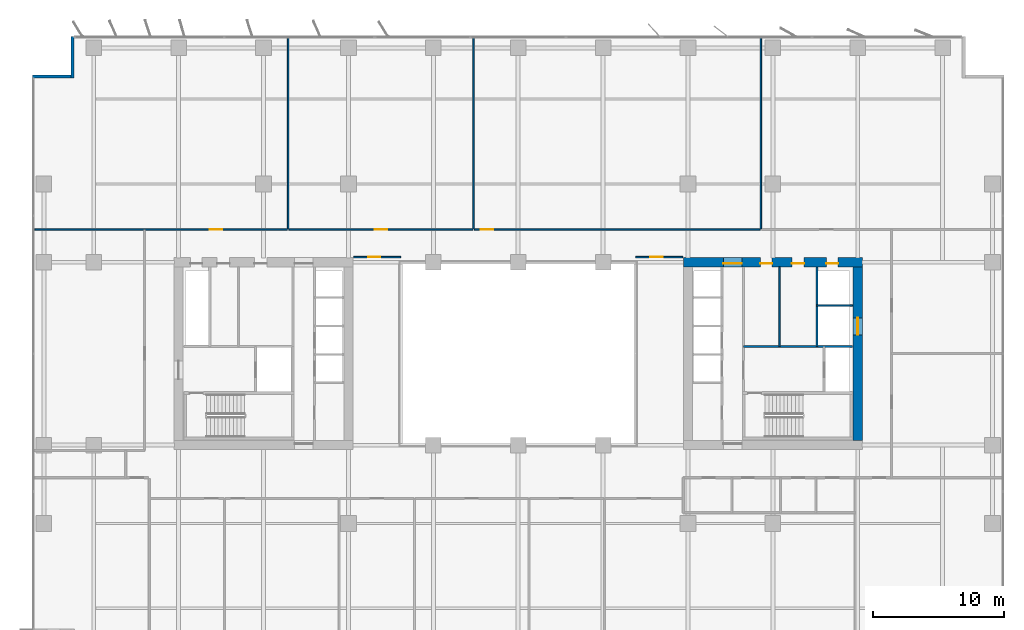
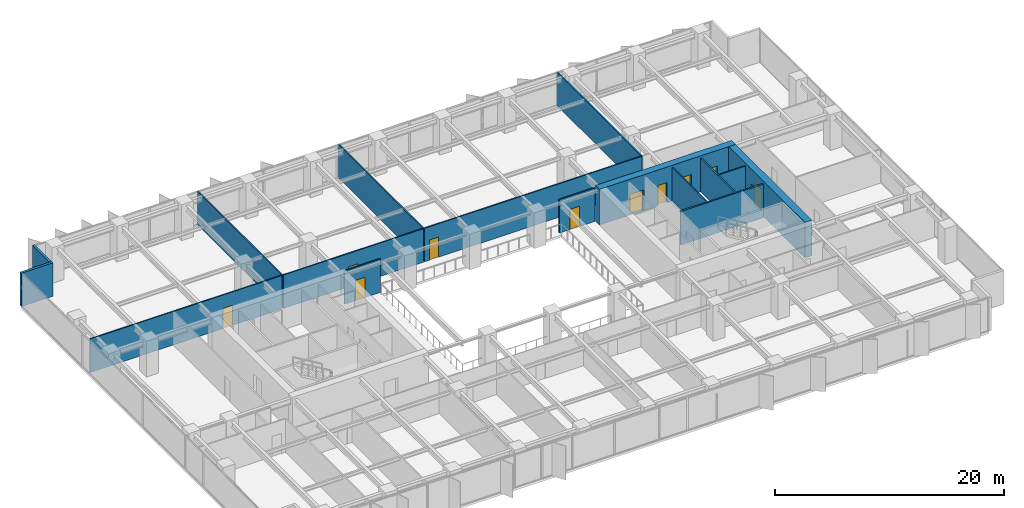
# One storey, part 15 of 20: 16 walls, 10 doors, 10 openings.
"""IFC4 building model written with IfcOpenShell, lengths in metres."""

from ifc_helpers import new_model, si_unit, direction, frame, frame_2d, origin, place, context, subcontext, project, spatial, rectangle, extrude, material, layer, layer_set, type_object, element, fill, save


model = new_model("IFC4")

# Units and contexts
model_context = context("Model", 3, precision=1e-05, world=origin(), true_north=direction((0.0, 1.0)))
body_context = subcontext(model_context, "Body", "Model", "MODEL_VIEW")
ifc_project = project(units=[si_unit("LENGTHUNIT", "METRE"), si_unit("AREAUNIT", "SQUARE_METRE"), si_unit("VOLUMEUNIT", "CUBIC_METRE"), si_unit("PLANEANGLEUNIT", "RADIAN"), si_unit("MASSUNIT", "GRAM", prefix="KILO")], contexts=[model_context])

# Site, building, storey
site_placement = place(None, origin())
site = spatial("IfcSite", under=ifc_project, at=site_placement, CompositionType="ELEMENT")
building_placement = place(site_placement, origin())
building = spatial("IfcBuilding", under=site, at=building_placement, Name="Putna Gate Headquarters", CompositionType="ELEMENT")
storey_placement = place(building_placement, frame((0.0, 0.0, 101.199951171875)))
storey = spatial("IfcBuildingStorey", under=building, at=storey_placement, Name="L24", CompositionType="ELEMENT", Elevation=101.199951171875)

# Wall, openings, doors
ifc_material_1 = material(Name="Concrete C60/75", Category="concrete")
ifc_layer_1 = layer(ifc_material_1, 0.699951171875)
ifc_layer_set_1 = layer_set([ifc_layer_1], Name="Concrete C60/75")
wall_type_1 = type_object("IfcWallType", Name="WALL-CORE-700", PredefinedType="SHEAR", material=ifc_layer_set_1)
wall_1_placement = place(storey_placement, frame((51.64990234375, 33.0, 0.0), z_axis=(0.0, 0.0, 1.0), x_axis=(1.0, 0.0, 0.0)))
wall_1 = element("IfcWall", 1, at=wall_1_placement, inside=storey, type_object=wall_type_1, Name="L24 EC Split Core Shear Wall N", PredefinedType="SHEAR", context=body_context, shape_type="SweptSolid", body=[
    extrude(rectangle(XDim=13.7001953125, YDim=0.699951171875, at=frame_2d((6.85009765625, 0.0))), origin(), (0.0, 0.0, 1.0), 3.800048828125),
])
opening_1_placement = place(wall_1_placement, frame((3.070068359375, 0.0, 0.0)))
opening_1 = element("IfcOpeningElement", 2, at=opening_1_placement, cuts=wall_1, Name="Opening FDD-140", PredefinedType="OPENING", context=body_context, shape_type="SweptSolid", body=[
    extrude(rectangle(XDim=1.39990234375, YDim=2.199951171875, at=frame_2d((0.699951171875, 1.10009765625))), frame((0.0, 0.35986328125, 0.0), z_axis=(0.0, -1.0, 0.0), x_axis=(1.0, 0.0, 0.0)), (0.0, 0.0, 1.0), 0.719970703125),
])
opening_2_placement = place(wall_1_placement, frame((10.949951171875, 0.0, 0.0)))
opening_2 = element("IfcOpeningElement", 3, at=opening_2_placement, cuts=wall_1, Name="Opening RD-90", PredefinedType="OPENING", context=body_context, shape_type="SweptSolid", body=[
    extrude(rectangle(XDim=0.89990234375, YDim=2.14990234375, at=frame_2d((0.449951171875, 1.074951171875))), frame((0.0, 0.35986328125, 0.0), z_axis=(0.0, -1.0, 0.0), x_axis=(1.0, 0.0, 0.0)), (0.0, 0.0, 1.0), 0.719970703125),
])
opening_3_placement = place(wall_1_placement, frame((5.89990234375, 0.0, 0.0)))
opening_3 = element("IfcOpeningElement", 4, at=opening_3_placement, cuts=wall_1, Name="Opening IDS-90", PredefinedType="OPENING", context=body_context, shape_type="SweptSolid", body=[
    extrude(rectangle(XDim=0.89990234375, YDim=2.14990234375, at=frame_2d((0.449951171875, 1.074951171875))), frame((0.0, 0.35986328125, 0.0), z_axis=(0.0, -1.0, 0.0), x_axis=(1.0, 0.0, 0.0)), (0.0, 0.0, 1.0), 0.719970703125),
])
opening_4_placement = place(wall_1_placement, frame((8.300048828125, 0.0, 0.0)))
opening_4 = element("IfcOpeningElement", 5, at=opening_4_placement, cuts=wall_1, Name="Opening IDS-95", PredefinedType="OPENING", context=body_context, shape_type="SweptSolid", body=[
    extrude(rectangle(XDim=0.949951171875, YDim=2.14990234375, at=frame_2d((0.47509765625, 1.074951171875))), frame((0.0, 0.35986328125, 0.0), z_axis=(0.0, -1.0, 0.0), x_axis=(1.0, 0.0, 0.0)), (0.0, 0.0, 1.0), 0.719970703125),
])
ifc_material_2 = material(Name="Double steel fire door", Category="steel")
door_type_1 = type_object("IfcDoorType", Name="DOOR-FIRE-DBL-1400", OperationType="DOUBLE_DOOR_SINGLE_SWING", PredefinedType="DOOR", material=ifc_material_2)
door_1_placement = place(opening_1_placement, origin())
door_1 = element("IfcDoor", 6, at=door_1_placement, inside=storey, type_object=door_type_1, Name="L24 East Lift Lobby North Door", OperationType="DOUBLE_DOOR_SINGLE_SWING", OverallHeight=2.199951171875, OverallWidth=1.39990234375, PredefinedType="DOOR", context=body_context, shape_type="SweptSolid", body=[
    extrude(rectangle(XDim=1.39990234375, YDim=2.199951171875, at=frame_2d((0.699951171875, 1.10009765625))), frame((0.0, -0.0751953125, 0.0), z_axis=(0.0, -1.0, 0.0), x_axis=(1.0, 0.0, 0.0)), (0.0, 0.0, 1.0), 0.050048828125),
])
fill(opening_1, door_1)
ifc_material_3 = material(Name="Fire-rated utility door")
door_type_2 = type_object("IfcDoorType", Name="DOOR-INT-900", OperationType="NOTDEFINED", PredefinedType="DOOR", material=ifc_material_3)
door_2_placement = place(opening_3_placement, origin())
door_2 = element("IfcDoor", 7, at=door_2_placement, inside=storey, type_object=door_type_2, Name="L24 Telecoms Plant Door", OperationType="SINGLE_SWING_LEFT", OverallHeight=2.14990234375, OverallWidth=0.89990234375, PredefinedType="DOOR", context=body_context, shape_type="SweptSolid", body=[
    extrude(rectangle(XDim=0.89990234375, YDim=2.14990234375, at=frame_2d((0.449951171875, 1.074951171875))), frame((0.0, -0.0751953125, 0.0), z_axis=(0.0, -1.0, 0.0), x_axis=(1.0, 0.0, 0.0)), (0.0, 0.0, 1.0), 0.050048828125),
])
fill(opening_3, door_2)
ifc_material_4 = material(Name="Fire-rated service timber door", Category="wood")
door_type_3 = type_object("IfcDoorType", Name="DOOR-INT-950", OperationType="NOTDEFINED", PredefinedType="DOOR", material=ifc_material_4)
door_3_placement = place(opening_4_placement, origin())
door_3 = element("IfcDoor", 8, at=door_3_placement, inside=storey, type_object=door_type_3, Name="L24 Supplies Store Door", OperationType="SINGLE_SWING_RIGHT", OverallHeight=2.14990234375, OverallWidth=0.949951171875, PredefinedType="DOOR", context=body_context, shape_type="SweptSolid", body=[
    extrude(rectangle(XDim=0.949951171875, YDim=2.14990234375, at=frame_2d((0.47509765625, 1.074951171875))), frame((0.0, -0.0751953125, 0.0), z_axis=(0.0, -1.0, 0.0), x_axis=(1.0, 0.0, 0.0)), (0.0, 0.0, 1.0), 0.050048828125),
])
fill(opening_4, door_3)
ifc_material_5 = material(Name="Steel riser access fire door", Category="steel")
door_type_4 = type_object("IfcDoorType", Name="DOOR-RISER-900", OperationType="NOTDEFINED", PredefinedType="DOOR", material=ifc_material_5)
door_4_placement = place(opening_2_placement, origin())
door_4 = element("IfcDoor", 9, at=door_4_placement, inside=storey, type_object=door_type_4, Name="L24 East Riser Access Door", OperationType="SINGLE_SWING_LEFT", OverallHeight=2.14990234375, OverallWidth=0.89990234375, PredefinedType="DOOR", context=body_context, shape_type="SweptSolid", body=[
    extrude(rectangle(XDim=0.89990234375, YDim=2.14990234375, at=frame_2d((0.449951171875, 1.074951171875))), frame((0.0, -0.0751953125, 0.0), z_axis=(0.0, -1.0, 0.0), x_axis=(1.0, 0.0, 0.0)), (0.0, 0.0, 1.0), 0.050048828125),
])
fill(opening_2, door_4)

# Wall, opening, door
wall_2_placement = place(storey_placement, frame((65.0, 19.35009765625, 0.0), z_axis=(0.0, 0.0, 1.0), x_axis=(0.0, 1.0, 0.0)))
wall_2 = element("IfcWall", 10, at=wall_2_placement, inside=storey, type_object=wall_type_1, Name="L24 EC Split Core Shear Wall E", PredefinedType="SHEAR", context=body_context, shape_type="SweptSolid", body=[
    extrude(rectangle(XDim=13.2998046875, YDim=0.699951171875, at=frame_2d((6.64990234375, 0.0))), origin(), (0.0, 0.0, 1.0), 3.800048828125),
])
opening_5_placement = place(wall_2_placement, frame((8.10009765625, 0.0, 0.0)))
opening_5 = element("IfcOpeningElement", 11, at=opening_5_placement, cuts=wall_2, Name="Opening LD-2", PredefinedType="OPENING", context=body_context, shape_type="SweptSolid", body=[
    extrude(rectangle(XDim=1.300048828125, YDim=2.199951171875, at=frame_2d((0.64990234375, 1.10009765625))), frame((0.0, 0.35986328125, 0.0), z_axis=(0.0, -1.0, 0.0), x_axis=(1.0, 0.0, 0.0)), (0.0, 0.0, 1.0), 0.719970703125),
])
ifc_material_6 = material(Name="Heavy-duty goods lift sliding landing door")
door_type_5 = type_object("IfcDoorType", Name="DOOR-LIFT-1300", OperationType="DOUBLE_DOOR_SLIDING", PredefinedType="DOOR", material=ifc_material_6)
door_5_placement = place(opening_5_placement, origin())
door_5 = element("IfcDoor", 12, at=door_5_placement, inside=storey, type_object=door_type_5, Name="L24 Goods Lift Landing Door LD-15", OperationType="DOUBLE_DOOR_SLIDING", OverallHeight=2.199951171875, OverallWidth=1.300048828125, PredefinedType="DOOR", context=body_context, shape_type="SweptSolid", body=[
    extrude(rectangle(XDim=1.300048828125, YDim=2.199951171875, at=frame_2d((0.64990234375, 1.10009765625))), frame((0.0, 0.02490234375, 0.0), z_axis=(0.0, -1.0, 0.0), x_axis=(1.0, 0.0, 0.0)), (0.0, 0.0, 1.0), 0.050048828125),
])
fill(opening_5, door_5)

# Walls
ifc_material_7 = material(Name="Precast concrete C40/50", Category="concrete")
ifc_layer_2 = layer(ifc_material_7, 0.239990234375)
ifc_layer_set_2 = layer_set([ifc_layer_2], Name="Precast concrete C40/50")
wall_type_2 = type_object("IfcWallType", Name="WALL-EXT-TERR-240", PredefinedType="STANDARD", material=ifc_layer_set_2)
for number, where, z_axis, x_axis, name in (
    (13, (4.8798828125, 47.10009765625, 0.0), (0.0, 0.0, 1.0), (0.0, 1.0, 0.0), "L24 Corner Notch Return Wall NW-V"),
    (14, (1.800048828125, 47.219970703125, 0.0), (0.0, 0.0, 1.0), (1.0, 0.0, 0.0), "L24 Corner Notch Return Wall NW-H"),
):
    element("IfcWall", number, at=place(storey_placement, frame(where, z_axis=z_axis, x_axis=x_axis)), inside=storey, type_object=wall_type_2, Name=name, PredefinedType="STANDARD", context=body_context, shape_type="SweptSolid", body=[
        extrude(rectangle(XDim=3.199951171875, YDim=0.239990234375, at=frame_2d((1.60009765625, 0.0))), origin(), (0.0, 0.0, 1.0), 3.56494140625),
    ])

# Wall, opening, door
ifc_material_8 = material(Name="Acoustic gypsum board on metal stud")
ifc_layer_3 = layer(ifc_material_8, 0.1201171875)
ifc_layer_set_3 = layer_set([ifc_layer_3], Name="Acoustic gypsum board on metal stud")
wall_type_3 = type_object("IfcWallType", Name="WALL-PART-120", PredefinedType="PARTITIONING", material=ifc_layer_set_3)
wall_3_placement = place(storey_placement, frame((26.39990234375, 33.39990234375, 0.0), z_axis=(0.0, 0.0, 1.0), x_axis=(1.0, 0.0, 0.0)))
wall_3 = element("IfcWall", 15, at=wall_3_placement, inside=storey, type_object=wall_type_3, Name="L24 Interior Wall PART-L24-ATR-W-N", PredefinedType="PARTITIONING", context=body_context, shape_type="SweptSolid", body=[
    extrude(rectangle(XDim=3.60009765625, YDim=0.1201171875, at=frame_2d((1.800048828125, 0.0))), origin(), (0.0, 0.0, 1.0), 3.56494140625),
])
opening_6_placement = place(wall_3_placement, frame((1.10009765625, 0.0, 0.0)))
opening_6 = element("IfcOpeningElement", 16, at=opening_6_placement, cuts=wall_3, Name="Opening ID-95", PredefinedType="OPENING", context=body_context, shape_type="SweptSolid", body=[
    extrude(rectangle(XDim=0.949951171875, YDim=2.14990234375, at=frame_2d((0.47509765625, 1.074951171875))), frame((0.0, 0.070068359375, 0.0), z_axis=(0.0, -1.0, 0.0), x_axis=(1.0, 0.0, 0.0)), (0.0, 0.0, 1.0), 0.14013671875),
])
ifc_material_9 = material(Name="Veneered acoustic timber door", Category="wood")
door_type_6 = type_object("IfcDoorType", Name="DOOR-OFF-950", OperationType="NOTDEFINED", PredefinedType="DOOR", material=ifc_material_9)
door_6_placement = place(opening_6_placement, origin())
door_6 = element("IfcDoor", 17, at=door_6_placement, inside=storey, type_object=door_type_6, Name="L24 West Atrium Lounge Door", OperationType="SINGLE_SWING_LEFT", OverallHeight=2.14990234375, OverallWidth=0.949951171875, PredefinedType="DOOR", context=body_context, shape_type="SweptSolid", body=[
    extrude(rectangle(XDim=0.949951171875, YDim=2.14990234375, at=frame_2d((0.47509765625, 1.074951171875))), frame((0.0, 0.02490234375, 0.0), z_axis=(0.0, -1.0, 0.0), x_axis=(1.0, 0.0, 0.0)), (0.0, 0.0, 1.0), 0.050048828125),
])
fill(opening_6, door_6)

wall_4_placement = place(storey_placement, frame((48.0, 33.39990234375, 0.0), z_axis=(0.0, 0.0, 1.0), x_axis=(1.0, 0.0, 0.0)))
wall_4 = element("IfcWall", 18, at=wall_4_placement, inside=storey, type_object=wall_type_3, Name="L24 Interior Wall PART-L24-ATR-E-N", PredefinedType="PARTITIONING", context=body_context, shape_type="SweptSolid", body=[
    extrude(rectangle(XDim=3.60009765625, YDim=0.1201171875, at=frame_2d((1.800048828125, 0.0))), origin(), (0.0, 0.0, 1.0), 3.56494140625),
])
opening_7_placement = place(wall_4_placement, frame((1.10009765625, 0.0, 0.0)))
opening_7 = element("IfcOpeningElement", 19, at=opening_7_placement, cuts=wall_4, Name="Opening ID-95", PredefinedType="OPENING", context=body_context, shape_type="SweptSolid", body=[
    extrude(rectangle(XDim=0.949951171875, YDim=2.14990234375, at=frame_2d((0.47509765625, 1.074951171875))), frame((0.0, 0.070068359375, 0.0), z_axis=(0.0, -1.0, 0.0), x_axis=(1.0, 0.0, 0.0)), (0.0, 0.0, 1.0), 0.14013671875),
])
door_7_placement = place(opening_7_placement, origin())
door_7 = element("IfcDoor", 20, at=door_7_placement, inside=storey, type_object=door_type_6, Name="L24 East Atrium Lounge Door", OperationType="SINGLE_SWING_RIGHT", OverallHeight=2.14990234375, OverallWidth=0.949951171875, PredefinedType="DOOR", context=body_context, shape_type="SweptSolid", body=[
    extrude(rectangle(XDim=0.949951171875, YDim=2.14990234375, at=frame_2d((0.47509765625, 1.074951171875))), frame((0.0, 0.02490234375, 0.0), z_axis=(0.0, -1.0, 0.0), x_axis=(1.0, 0.0, 0.0)), (0.0, 0.0, 1.0), 0.050048828125),
])
fill(opening_7, door_7)

# Walls
for number, where, z_axis, x_axis, name in (
    (21, (21.37841796875, 35.56005859375, 0.0), (0.0, 0.0, 1.0), (0.0, 1.0, 0.0), "L24 Interior Wall PART-L24-NB-DIV-01"),
    (22, (35.5869140625, 35.56005859375, 0.0), (0.0, 0.0, 1.0), (0.0, 1.0, 0.0), "L24 Interior Wall PART-L24-NB-DIV-02"),
    (23, (57.57666015625, 35.56005859375, 0.0), (0.0, 0.0, 1.0), (0.0, 1.0, 0.0), "L24 Interior Wall PART-L24-NB-DIV-03"),
):
    element("IfcWall", number, at=place(storey_placement, frame(where, z_axis=z_axis, x_axis=x_axis)), inside=storey, type_object=wall_type_3, Name=name, PredefinedType="PARTITIONING", context=body_context, shape_type="SweptSolid", body=[
        extrude(rectangle(XDim=14.719970703125, YDim=0.1201171875, at=frame_2d((7.35986328125, 0.0))), origin(), (0.0, 0.0, 1.0), 3.56494140625),
    ])
ifc_material_10 = material(Name="Fire-rated shaftwall gypsum board on metal stud")
ifc_layer_4 = layer(ifc_material_10, 0.1201171875)
ifc_layer_set_4 = layer_set([ifc_layer_4], Name="Fire-rated shaftwall gypsum board on metal stud")
wall_type_4 = type_object("IfcWallType", Name="WALL-PART-120-EI120", PredefinedType="PARTITIONING", material=ifc_layer_set_4)
wall_5_placement = place(storey_placement, frame((61.8701171875, 29.699951171875, 0.0), z_axis=(0.0, 0.0, 1.0), x_axis=(1.0, 0.0, 0.0)))
element("IfcWall", 24, at=wall_5_placement, inside=storey, type_object=wall_type_4, Name="L24 Interior Wall CWINT-L24-EC-LF15-N", PredefinedType="PARTITIONING", context=body_context, shape_type="SweptSolid", body=[
    extrude(rectangle(XDim=2.72998046875, YDim=0.1201171875, at=frame_2d((1.364990234375, 0.0))), origin(), (0.0, 0.0, 1.0), 3.56494140625),
])
ifc_material_11 = material(Name="Fire-rated gypsum board on metal stud")
ifc_layer_5 = layer(ifc_material_11, 0.1201171875)
ifc_layer_set_5 = layer_set([ifc_layer_5], Name="Fire-rated gypsum board on metal stud")
wall_type_5 = type_object("IfcWallType", Name="WALL-PART-120-RATED", PredefinedType="PARTITIONING", material=ifc_layer_set_5)
wall_6_placement = place(storey_placement, frame((59.02001953125, 26.56005859375, 0.0), z_axis=(0.0, 0.0, 1.0), x_axis=(0.0, 1.0, 0.0)))
element("IfcWall", 25, at=wall_6_placement, inside=storey, type_object=wall_type_5, Name="L24 Interior Wall CWINT-L24-EC-K1-DIV", PredefinedType="PARTITIONING", context=body_context, shape_type="SweptSolid", body=[
    extrude(rectangle(XDim=6.08984375, YDim=0.1201171875, at=frame_2d((3.044921875, 0.0))), origin(), (0.0, 0.0, 1.0), 3.56494140625),
])

# Wall, opening, door
wall_7_placement = place(storey_placement, frame((1.97998046875, 35.5, 0.0), z_axis=(0.0, 0.0, 1.0), x_axis=(1.0, 0.0, 0.0)))
wall_7 = element("IfcWall", 26, at=wall_7_placement, inside=storey, type_object=wall_type_5, Name="L24 Interior Wall PART-L24-NB-CW-01", PredefinedType="PARTITIONING", context=body_context, shape_type="SweptSolid", body=[
    extrude(rectangle(XDim=19.338623046875, YDim=0.1201171875, at=frame_2d((9.66943359375, 0.0))), origin(), (0.0, 0.0, 1.0), 3.56494140625),
])
opening_8_placement = place(wall_7_placement, frame((13.404296875, 0.0, 0.0)))
opening_8 = element("IfcOpeningElement", 27, at=opening_8_placement, cuts=wall_7, Name="Opening FD-95", PredefinedType="OPENING", context=body_context, shape_type="SweptSolid", body=[
    extrude(rectangle(XDim=0.949951171875, YDim=2.14990234375, at=frame_2d((0.47509765625, 1.074951171875))), frame((0.0, 0.070068359375, 0.0), z_axis=(0.0, -1.0, 0.0), x_axis=(1.0, 0.0, 0.0)), (0.0, 0.0, 1.0), 0.14013671875),
])
ifc_material_12 = material(Name="Acoustic timber fire door", Category="wood")
door_type_7 = type_object("IfcDoorType", Name="DOOR-FIRE-950", OperationType="NOTDEFINED", PredefinedType="DOOR", material=ifc_material_12)
door_8_placement = place(opening_8_placement, origin())
door_8 = element("IfcDoor", 28, at=door_8_placement, inside=storey, type_object=door_type_7, Name="L24 Collaborative Breakout Lounge 3 Door", OperationType="SINGLE_SWING_LEFT", OverallHeight=2.14990234375, OverallWidth=0.949951171875, PredefinedType="DOOR", context=body_context, shape_type="SweptSolid", body=[
    extrude(rectangle(XDim=0.949951171875, YDim=2.14990234375, at=frame_2d((0.47509765625, 1.074951171875))), frame((0.0, 0.02490234375, 0.0), z_axis=(0.0, -1.0, 0.0), x_axis=(1.0, 0.0, 0.0)), (0.0, 0.0, 1.0), 0.050048828125),
])
fill(opening_8, door_8)

wall_8_placement = place(storey_placement, frame((21.4384765625, 35.5, 0.0), z_axis=(0.0, 0.0, 1.0), x_axis=(1.0, 0.0, 0.0)))
wall_8 = element("IfcWall", 29, at=wall_8_placement, inside=storey, type_object=wall_type_5, Name="L24 Interior Wall PART-L24-NB-CW-02", PredefinedType="PARTITIONING", context=body_context, shape_type="SweptSolid", body=[
    extrude(rectangle(XDim=14.08837890625, YDim=0.1201171875, at=frame_2d((7.044189453125, 0.0))), origin(), (0.0, 0.0, 1.0), 3.56494140625),
])
opening_9_placement = place(wall_8_placement, frame((6.569091796875, 0.0, 0.0)))
opening_9 = element("IfcOpeningElement", 30, at=opening_9_placement, cuts=wall_8, Name="Opening FD-95", PredefinedType="OPENING", context=body_context, shape_type="SweptSolid", body=[
    extrude(rectangle(XDim=0.949951171875, YDim=2.14990234375, at=frame_2d((0.47509765625, 1.074951171875))), frame((0.0, 0.070068359375, 0.0), z_axis=(0.0, -1.0, 0.0), x_axis=(1.0, 0.0, 0.0)), (0.0, 0.0, 1.0), 0.14013671875),
])
door_9_placement = place(opening_9_placement, origin())
door_9 = element("IfcDoor", 31, at=door_9_placement, inside=storey, type_object=door_type_7, Name="L24 Cellular Office 1 Door", OperationType="SINGLE_SWING_RIGHT", OverallHeight=2.14990234375, OverallWidth=0.949951171875, PredefinedType="DOOR", context=body_context, shape_type="SweptSolid", body=[
    extrude(rectangle(XDim=0.949951171875, YDim=2.14990234375, at=frame_2d((0.47509765625, 1.074951171875))), frame((0.0, 0.02490234375, 0.0), z_axis=(0.0, -1.0, 0.0), x_axis=(1.0, 0.0, 0.0)), (0.0, 0.0, 1.0), 0.050048828125),
])
fill(opening_9, door_9)

wall_9_placement = place(storey_placement, frame((35.646728515625, 35.5, 0.0), z_axis=(0.0, 0.0, 1.0), x_axis=(1.0, 0.0, 0.0)))
wall_9 = element("IfcWall", 32, at=wall_9_placement, inside=storey, type_object=wall_type_5, Name="L24 Interior Wall PART-L24-NB-CW-03", PredefinedType="PARTITIONING", context=body_context, shape_type="SweptSolid", body=[
    extrude(rectangle(XDim=21.869873046875, YDim=0.1201171875, at=frame_2d((10.93505859375, 0.0))), origin(), (0.0, 0.0, 1.0), 3.56494140625),
])
opening_10_placement = place(wall_9_placement, frame((0.47998046875, 0.0, 0.0)))
opening_10 = element("IfcOpeningElement", 33, at=opening_10_placement, cuts=wall_9, Name="Opening FD-95", PredefinedType="OPENING", context=body_context, shape_type="SweptSolid", body=[
    extrude(rectangle(XDim=0.949951171875, YDim=2.14990234375, at=frame_2d((0.47509765625, 1.074951171875))), frame((0.0, 0.070068359375, 0.0), z_axis=(0.0, -1.0, 0.0), x_axis=(1.0, 0.0, 0.0)), (0.0, 0.0, 1.0), 0.14013671875),
])
door_10_placement = place(opening_10_placement, origin())
door_10 = element("IfcDoor", 34, at=door_10_placement, inside=storey, type_object=door_type_7, Name="L24 Cellular Office 2 Door", OperationType="SINGLE_SWING_LEFT", OverallHeight=2.14990234375, OverallWidth=0.949951171875, PredefinedType="DOOR", context=body_context, shape_type="SweptSolid", body=[
    extrude(rectangle(XDim=0.949951171875, YDim=2.14990234375, at=frame_2d((0.47509765625, 1.074951171875))), frame((0.0, 0.02490234375, 0.0), z_axis=(0.0, -1.0, 0.0), x_axis=(1.0, 0.0, 0.0)), (0.0, 0.0, 1.0), 0.050048828125),
])
fill(opening_10, door_10)

# Walls
ifc_material_13 = material(Name="Concrete C40/50", Category="concrete")
ifc_layer_6 = layer(ifc_material_13, 0.159912109375)
ifc_layer_set_6 = layer_set([ifc_layer_6], Name="Concrete C40/50")
wall_type_6 = type_object("IfcWallType", Name="WALL-SHAFT-160", PredefinedType="STANDARD", material=ifc_layer_set_6)
wall_10_placement = place(storey_placement, frame((56.260009765625, 26.56005859375, 0.0), z_axis=(0.0, 0.0, 1.0), x_axis=(1.0, 0.0, 0.0)))
element("IfcWall", 35, at=wall_10_placement, inside=storey, type_object=wall_type_6, Name="L24 Interior Wall CWINT-L24-EC-FFL-N", PredefinedType="STANDARD", context=body_context, shape_type="SweptSolid", body=[
    extrude(rectangle(XDim=8.340087890625, YDim=0.159912109375, at=frame_2d((4.169921875, 0.0))), origin(), (0.0, 0.0, 1.0), 3.56494140625),
])
wall_11_placement = place(storey_placement, frame((61.8701171875, 26.56005859375, 0.0), z_axis=(0.0, 0.0, 1.0), x_axis=(0.0, 1.0, 0.0)))
element("IfcWall", 36, at=wall_11_placement, inside=storey, type_object=wall_type_6, Name="L24 Interior Wall CWINT-L24-EC-LF15-W", PredefinedType="STANDARD", context=body_context, shape_type="SweptSolid", body=[
    extrude(rectangle(XDim=6.08984375, YDim=0.159912109375, at=frame_2d((3.044921875, 0.0))), origin(), (0.0, 0.0, 1.0), 3.56494140625),
])

save(model, "model.ifc")
